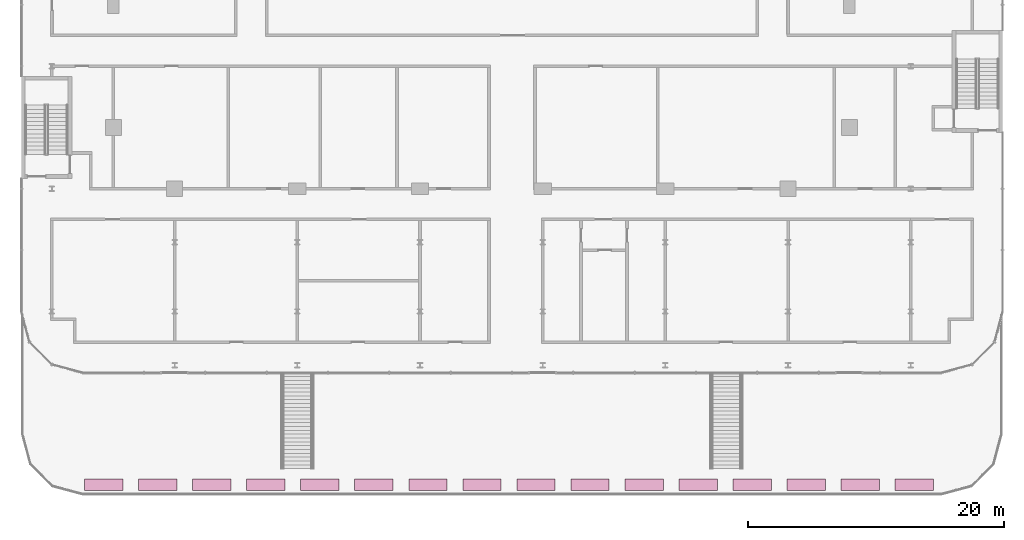
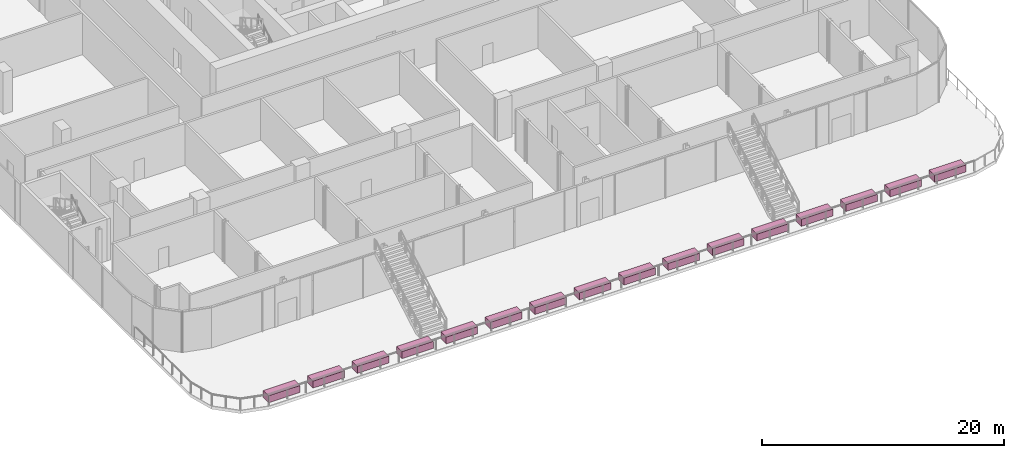
# One storey, part 38 of 38: 16 furniture elements.
"""IFC4 building model written with IfcOpenShell, lengths in metres."""

from ifc_helpers import new_model, si_unit, direction, frame, origin, origin_2d, place, context, subcontext, project, spatial, rectangle, extrude, material, type_object, element, save


model = new_model("IFC4")

# Units and contexts
model_context = context("Model", 3, precision=1e-05, world=origin(), true_north=direction((0.0, 1.0)))
body_context = subcontext(model_context, "Body", "Model", "MODEL_VIEW")
ifc_project = project(units=[si_unit("LENGTHUNIT", "METRE"), si_unit("AREAUNIT", "SQUARE_METRE"), si_unit("VOLUMEUNIT", "CUBIC_METRE"), si_unit("PLANEANGLEUNIT", "RADIAN"), si_unit("MASSUNIT", "GRAM", prefix="KILO")], contexts=[model_context])

# Site, building, storey
site_placement = place(None, origin())
site = spatial("IfcSite", under=ifc_project, at=site_placement, CompositionType="ELEMENT")
building_placement = place(site_placement, origin())
building = spatial("IfcBuilding", under=site, at=building_placement, Name="Madar Terraces", CompositionType="ELEMENT")
storey_placement = place(building_placement, frame((0.0, 0.0, 15.0)))
storey = spatial("IfcBuildingStorey", under=building, at=storey_placement, Name="L03", CompositionType="ELEMENT", Elevation=15.0)

# Furniture
ifc_material = material(Name="Precast concrete C30/37, planted soil", Category="concrete")
furniture_type = type_object("IfcFurnitureType", Name="Terrace planter 3000 x 900 x 700", AssemblyPlace="NOTDEFINED", PredefinedType="NOTDEFINED", material=ifc_material)
for number, where, z_axis, x_axis, name in (
    (1, (-0.753173828125, -23.14990234375, 0.0400390625), (0.0, 0.0, 1.0), (1.0, 0.0, 0.0), "PLANTER L03 1"),
    (2, (3.47607421875, -23.14990234375, 0.0400390625), (0.0, 0.0, 1.0), (1.0, 0.0, 0.0), "PLANTER L03 2"),
    (3, (7.705322265625, -23.14990234375, 0.0400390625), (0.0, 0.0, 1.0), (1.0, 0.0, 0.0), "PLANTER L03 3"),
    (4, (11.9345703125, -23.14990234375, 0.0400390625), (0.0, 0.0, 1.0), (1.0, 0.0, 0.0), "PLANTER L03 4"),
    (5, (16.163818359375, -23.14990234375, 0.0400390625), (0.0, 0.0, 1.0), (1.0, 0.0, 0.0), "PLANTER L03 5"),
    (6, (20.39306640625, -23.14990234375, 0.0400390625), (0.0, 0.0, 1.0), (1.0, 0.0, 0.0), "PLANTER L03 6"),
    (7, (24.622314453125, -23.14990234375, 0.0400390625), (0.0, 0.0, 1.0), (1.0, 0.0, 0.0), "PLANTER L03 7"),
    (8, (28.8515625, -23.14990234375, 0.0400390625), (0.0, 0.0, 1.0), (1.0, 0.0, 0.0), "PLANTER L03 8"),
    (9, (33.080810546875, -23.14990234375, 0.0400390625), (0.0, 0.0, 1.0), (1.0, 0.0, 0.0), "PLANTER L03 9"),
    (10, (37.31005859375, -23.14990234375, 0.0400390625), (0.0, 0.0, 1.0), (1.0, 0.0, 0.0), "PLANTER L03 10"),
    (11, (41.539306640625, -23.14990234375, 0.0400390625), (0.0, 0.0, 1.0), (1.0, 0.0, 0.0), "PLANTER L03 11"),
    (12, (45.7685546875, -23.14990234375, 0.0400390625), (0.0, 0.0, 1.0), (1.0, 0.0, 0.0), "PLANTER L03 12"),
    (13, (49.997802734375, -23.14990234375, 0.0400390625), (0.0, 0.0, 1.0), (1.0, 0.0, 0.0), "PLANTER L03 13"),
    (14, (54.226806640625, -23.14990234375, 0.0400390625), (0.0, 0.0, 1.0), (1.0, 0.0, 0.0), "PLANTER L03 14"),
    (15, (58.456298828125, -23.14990234375, 0.0400390625), (0.0, 0.0, 1.0), (1.0, 0.0, 0.0), "PLANTER L03 15"),
    (16, (62.685302734375, -23.14990234375, 0.0400390625), (0.0, 0.0, 1.0), (1.0, 0.0, 0.0), "PLANTER L03 16"),
):
    element("IfcFurniture", number, at=place(storey_placement, frame(where, z_axis=z_axis, x_axis=x_axis)), inside=storey, type_object=furniture_type, Name=name, PredefinedType="NOTDEFINED", context=body_context, shape_type="SweptSolid", body=[
        extrude(rectangle(XDim=3.0, YDim=0.89990234375, at=origin_2d()), origin(), (0.0, 0.0, 1.0), 0.699951171875),
    ])

save(model, "model.ifc")
